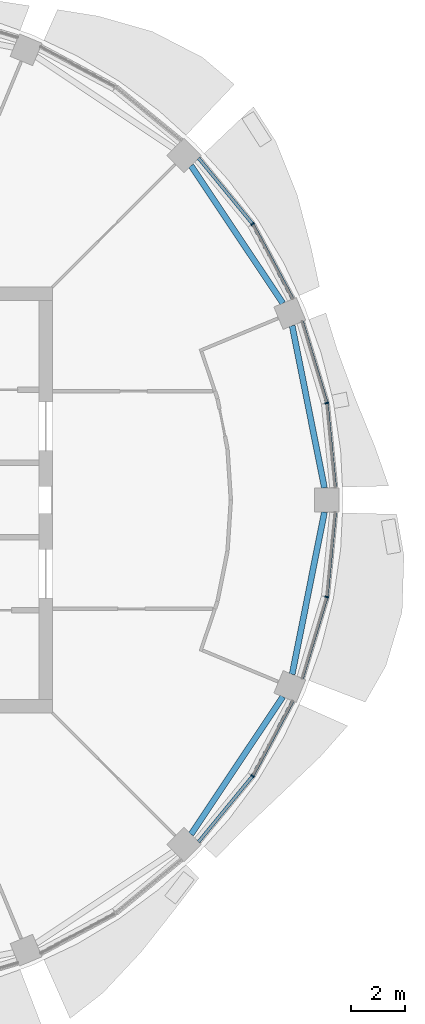
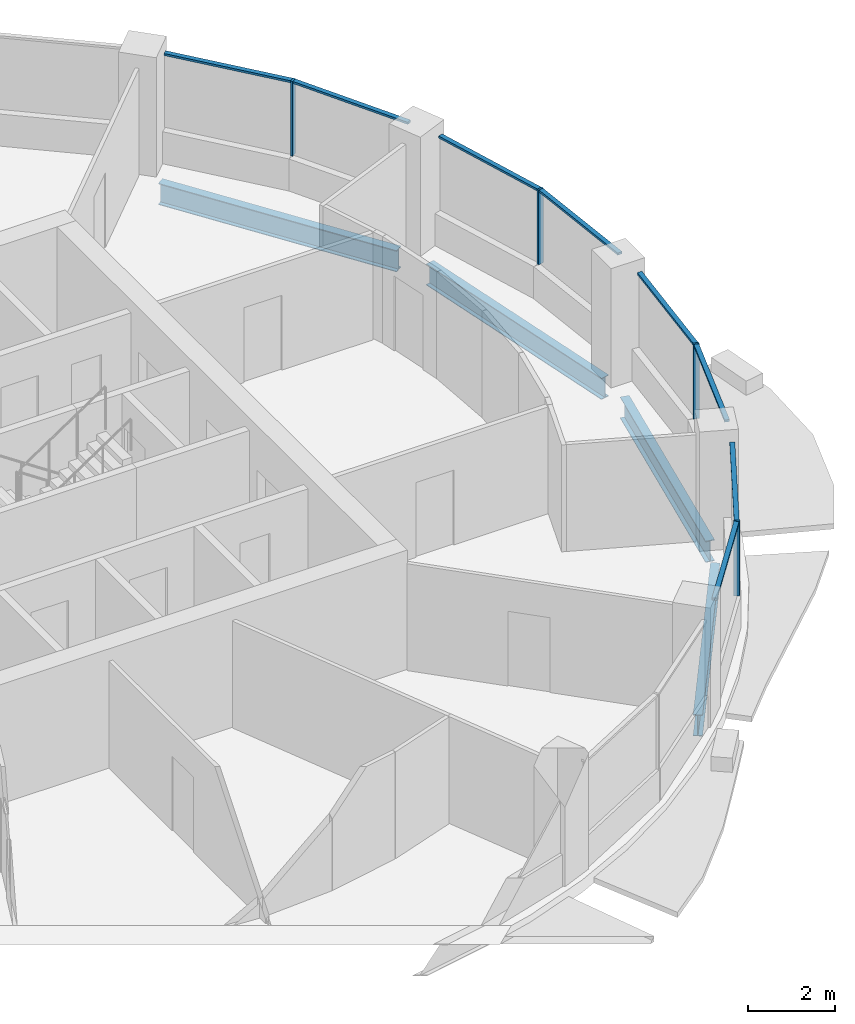
# One storey, part 5 of 15: 12 members, 4 beams, 4 elements without a shape of their own.
"""IFC4 building model written with IfcOpenShell, lengths in metres."""

from ifc_helpers import new_model, si_unit, direction, frame, origin, origin_2d, place, context, subcontext, project, spatial, rectangle, i_section, extrude, material, material_profile, profile_set, type_object, element, aggregate, save


model = new_model("IFC4")

# Units and contexts
model_context = context("Model", 3, precision=1e-05, world=origin(), true_north=direction((0.0, 1.0)))
body_context = subcontext(model_context, "Body", "Model", "MODEL_VIEW")
ifc_project = project(units=[si_unit("LENGTHUNIT", "METRE"), si_unit("AREAUNIT", "SQUARE_METRE"), si_unit("VOLUMEUNIT", "CUBIC_METRE"), si_unit("PLANEANGLEUNIT", "RADIAN"), si_unit("MASSUNIT", "GRAM", prefix="KILO")], contexts=[model_context])

# Site, building, storey
site_placement = place(None, origin())
site = spatial("IfcSite", under=ifc_project, at=site_placement, CompositionType="ELEMENT")
building_placement = place(site_placement, origin())
building = spatial("IfcBuilding", under=site, at=building_placement, Name="Polderwave Tower", CompositionType="ELEMENT")
storey_placement = place(building_placement, frame((0.0, 0.0, 177.60009765625)))
storey = spatial("IfcBuildingStorey", under=building, at=storey_placement, Name="L47", CompositionType="ELEMENT", Elevation=177.60009765625)

# Curtain wall, member
ifc_material_1 = material(Name="Aluminium 6063-T6 and glass", Category="aluminium")
curtain_wall_type = type_object("IfcCurtainWallType", Name="Office ribbon glazing wall", PredefinedType="NOTDEFINED", material=ifc_material_1)
curtain_wall_1_placement = place(storey_placement, origin())
curtain_wall_1 = element("IfcCurtainWall", 1, at=curtain_wall_1_placement, inside=storey, type_object=curtain_wall_type, Name="CW3 L47 00", PredefinedType="NOTDEFINED")
ifc_material_2 = material(Name="Aluminium 6063-T6", Category="aluminium")
ifc_material_profile_1 = material_profile(ifc_material_2, rectangle(XDim=0.139892578125, YDim=0.054931640625, at=origin_2d()), Name="AL 55x140")
ifc_profile_set_1 = profile_set([ifc_material_profile_1], Name="Aluminium 6063-T6")
member_type_1 = type_object("IfcMemberType", Name="Office ribbon glazing mullion 55x140", PredefinedType="MULLION", material=ifc_profile_set_1)
member_1_placement = place(storey_placement, frame((18.01708984375, 3.583984375, 0.89990234375), z_axis=(0.0, 0.0, 1.0), x_axis=(-0.980774723565, -0.195143387321, 0.0)))
member_1 = element("IfcMember", 2, at=member_1_placement, type_object=member_type_1, Name="CW3 mullion 1", PredefinedType="MULLION", context=body_context, shape_type="SweptSolid", body=[
    extrude(rectangle(XDim=0.139892578125, YDim=0.054931640625, at=origin_2d()), origin(), (0.0, 0.0, 1.0), 2.10009765625),
])

curtain_wall_2_placement = place(storey_placement, origin())
curtain_wall_2 = element("IfcCurtainWall", 3, at=curtain_wall_2_placement, inside=storey, type_object=curtain_wall_type, Name="CW3 L47 01", PredefinedType="NOTDEFINED")
member_2_placement = place(storey_placement, frame((15.27392578125, 10.2060546875, 0.89990234375), z_axis=(0.0, 0.0, 1.0), x_axis=(-0.83138621278, -0.555695028949, 0.0)))
member_2 = element("IfcMember", 4, at=member_2_placement, type_object=member_type_1, Name="CW3 mullion 1", PredefinedType="MULLION", context=body_context, shape_type="SweptSolid", body=[
    extrude(rectangle(XDim=0.139892578125, YDim=0.054931640625, at=origin_2d()), origin(), (0.0, 0.0, 1.0), 2.10009765625),
])

curtain_wall_3_placement = place(storey_placement, origin())
curtain_wall_3 = element("IfcCurtainWall", 5, at=curtain_wall_3_placement, inside=storey, type_object=curtain_wall_type, Name="CW3 L47 14", PredefinedType="NOTDEFINED")
member_3_placement = place(storey_placement, frame((15.27392578125, -10.2060546875, 0.89990234375), z_axis=(0.0, 0.0, 1.0), x_axis=(-0.83138621278, 0.555695028949, 0.0)))
member_3 = element("IfcMember", 6, at=member_3_placement, type_object=member_type_1, Name="CW3 mullion 1", PredefinedType="MULLION", context=body_context, shape_type="SweptSolid", body=[
    extrude(rectangle(XDim=0.139892578125, YDim=0.054931640625, at=origin_2d()), origin(), (0.0, 0.0, 1.0), 2.10009765625),
])

curtain_wall_4_placement = place(storey_placement, origin())
curtain_wall_4 = element("IfcCurtainWall", 7, at=curtain_wall_4_placement, inside=storey, type_object=curtain_wall_type, Name="CW3 L47 15", PredefinedType="NOTDEFINED")
member_4_placement = place(storey_placement, frame((18.01708984375, -3.583984375, 0.89990234375), z_axis=(0.0, 0.0, 1.0), x_axis=(-0.980774723565, 0.195143387321, 0.0)))
member_4 = element("IfcMember", 8, at=member_4_placement, type_object=member_type_1, Name="CW3 mullion 1", PredefinedType="MULLION", context=body_context, shape_type="SweptSolid", body=[
    extrude(rectangle(XDim=0.139892578125, YDim=0.054931640625, at=origin_2d()), origin(), (0.0, 0.0, 1.0), 2.10009765625),
])

# Member
ifc_material_profile_2 = material_profile(ifc_material_2, rectangle(XDim=0.1201171875, YDim=0.06005859375, at=origin_2d()), Name="AL 60x120")
ifc_profile_set_2 = profile_set([ifc_material_profile_2], Name="Aluminium 6063-T6")
member_type_2 = type_object("IfcMemberType", Name="Office ribbon glazing transom 60x120", PredefinedType="USERDEFINED", material=ifc_profile_set_2)
member_5_placement = place(storey_placement, frame((18.325927734375, 0.449951171875, 2.969970703125), z_axis=(-0.098071118168, 0.995179408841, 0.0), x_axis=(-0.995179408841, -0.098071118168, 0.0)))
member_5 = element("IfcMember", 9, at=member_5_placement, type_object=member_type_2, Name="CW3 transom 1", ObjectType="TRANSOM", PredefinedType="USERDEFINED", context=body_context, shape_type="SweptSolid", body=[
    extrude(rectangle(XDim=0.1201171875, YDim=0.06005859375, at=origin_2d()), origin(), (0.0, 0.0, 1.0), 3.121826171875),
])

member_6_placement = place(storey_placement, frame((18.009033203125, 3.6103515625, 2.969970703125), z_axis=(-0.290296140087, 0.956936858445, 0.0), x_axis=(-0.956936858445, -0.290296140087, 0.0)))
member_6 = element("IfcMember", 10, at=member_6_placement, type_object=member_type_2, Name="CW3 transom 2", ObjectType="TRANSOM", PredefinedType="USERDEFINED", context=body_context, shape_type="SweptSolid", body=[
    extrude(rectangle(XDim=0.1201171875, YDim=0.06005859375, at=origin_2d()), origin(), (0.0, 0.0, 1.0), 3.120849609375),
])

aggregate(curtain_wall_1, [member_1, member_5, member_6])

member_7_placement = place(storey_placement, frame((16.759033203125, 7.428955078125, 2.969970703125), z_axis=(-0.471541933761, 0.881843639601, 0.0), x_axis=(-0.881843639601, -0.471541933761, 0.0)))
member_7 = element("IfcMember", 11, at=member_7_placement, type_object=member_type_2, Name="CW3 transom 1", ObjectType="TRANSOM", PredefinedType="USERDEFINED", context=body_context, shape_type="SweptSolid", body=[
    extrude(rectangle(XDim=0.1201171875, YDim=0.06005859375, at=origin_2d()), origin(), (0.0, 0.0, 1.0), 3.12158203125),
])

member_8_placement = place(storey_placement, frame((15.256591796875, 10.227294921875, 2.969970703125), z_axis=(-0.634535918475, 0.772893374383, 0.0), x_axis=(-0.772893374383, -0.634535918475, 0.0)))
member_8 = element("IfcMember", 12, at=member_8_placement, type_object=member_type_2, Name="CW3 transom 2", ObjectType="TRANSOM", PredefinedType="USERDEFINED", context=body_context, shape_type="SweptSolid", body=[
    extrude(rectangle(XDim=0.1201171875, YDim=0.06005859375, at=origin_2d()), origin(), (0.0, 0.0, 1.0), 3.12158203125),
])

aggregate(curtain_wall_2, [member_2, member_7, member_8])

member_9_placement = place(storey_placement, frame((13.27587890625, -12.639892578125, 2.969970703125), z_axis=(0.634535918475, 0.772893374383, 0.0), x_axis=(-0.772893374383, 0.634535918475, 0.0)))
member_9 = element("IfcMember", 13, at=member_9_placement, type_object=member_type_2, Name="CW3 transom 1", ObjectType="TRANSOM", PredefinedType="USERDEFINED", context=body_context, shape_type="SweptSolid", body=[
    extrude(rectangle(XDim=0.1201171875, YDim=0.06005859375, at=origin_2d()), origin(), (0.0, 0.0, 1.0), 3.12158203125),
])

member_10_placement = place(storey_placement, frame((15.287109375, -10.181640625, 2.969970703125), z_axis=(0.471541933761, 0.881843639601, 0.0), x_axis=(-0.881843639601, 0.471541933761, 0.0)))
member_10 = element("IfcMember", 14, at=member_10_placement, type_object=member_type_2, Name="CW3 transom 2", ObjectType="TRANSOM", PredefinedType="USERDEFINED", context=body_context, shape_type="SweptSolid", body=[
    extrude(rectangle(XDim=0.1201171875, YDim=0.06005859375, at=origin_2d()), origin(), (0.0, 0.0, 1.0), 3.12158203125),
])

aggregate(curtain_wall_3, [member_3, member_9, member_10])

member_11_placement = place(storey_placement, frame((17.10302734375, -6.596923828125, 2.969970703125), z_axis=(0.290296140087, 0.956936858445, 0.0), x_axis=(-0.956936858445, 0.290296140087, 0.0)))
member_11 = element("IfcMember", 15, at=member_11_placement, type_object=member_type_2, Name="CW3 transom 1", ObjectType="TRANSOM", PredefinedType="USERDEFINED", context=body_context, shape_type="SweptSolid", body=[
    extrude(rectangle(XDim=0.1201171875, YDim=0.06005859375, at=origin_2d()), origin(), (0.0, 0.0, 1.0), 3.120849609375),
])

member_12_placement = place(storey_placement, frame((18.019775390625, -3.556640625, 2.969970703125), z_axis=(0.098071118168, 0.995179408841, 0.0), x_axis=(-0.995179408841, 0.098071118168, 0.0)))
member_12 = element("IfcMember", 16, at=member_12_placement, type_object=member_type_2, Name="CW3 transom 2", ObjectType="TRANSOM", PredefinedType="USERDEFINED", context=body_context, shape_type="SweptSolid", body=[
    extrude(rectangle(XDim=0.1201171875, YDim=0.06005859375, at=origin_2d()), origin(), (0.0, 0.0, 1.0), 3.121826171875),
])

aggregate(curtain_wall_4, [member_4, member_11, member_12])

# Beams
ifc_material_3 = material(Name="Steel S355", Category="steel")
ifc_material_profile_3 = material_profile(ifc_material_3, i_section(OverallWidth=0.219970703125, OverallDepth=0.60009765625, WebThickness=0.011962890625, FlangeThickness=0.01904296875, at=origin_2d()), Name="IPE 600")
ifc_profile_set_3 = profile_set([ifc_material_profile_3], Name="Steel S355")
beam_type = type_object("IfcBeamType", Name="RING BEAM IPE 600", PredefinedType="BEAM", material=ifc_profile_set_3)
for number, where, z_axis, x_axis, name in (
    (17, (17.930419921875, 0.449951171875, -0.650146484375), (-0.195079268525, 0.980787479014, 0.0), (-0.980787479014, -0.195079268525, 0.0), "ST-RB-L47-00"),
    (18, (16.393310546875, 7.27734375, -0.650146484375), (-0.555538553645, 0.831490778911, 0.0), (-0.831490778911, -0.555538553645, 0.0), "ST-RB-L47-01"),
    (19, (12.9970703125, -12.360595703125, -0.650146484375), (0.555538553645, 0.831490778911, 0.0), (-0.831490778911, 0.555538553645, 0.0), "ST-RB-L47-14"),
    (20, (16.73779296875, -6.446044921875, -0.650146484375), (0.195079268525, 0.980787479014, 0.0), (-0.980787479014, 0.195079268525, 0.0), "ST-RB-L47-15"),
):
    element("IfcBeam", number, at=place(storey_placement, frame(where, z_axis=z_axis, x_axis=x_axis)), inside=storey, type_object=beam_type, Name=name, PredefinedType="BEAM", context=body_context, shape_type="SweptSolid", body=[
        extrude(i_section(OverallWidth=0.219970703125, OverallDepth=0.60009765625, WebThickness=0.011962890625, FlangeThickness=0.01904296875, at=origin_2d()), origin(), (0.0, 0.0, 1.0), 6.113525390625),
    ])

save(model, "model.ifc")
